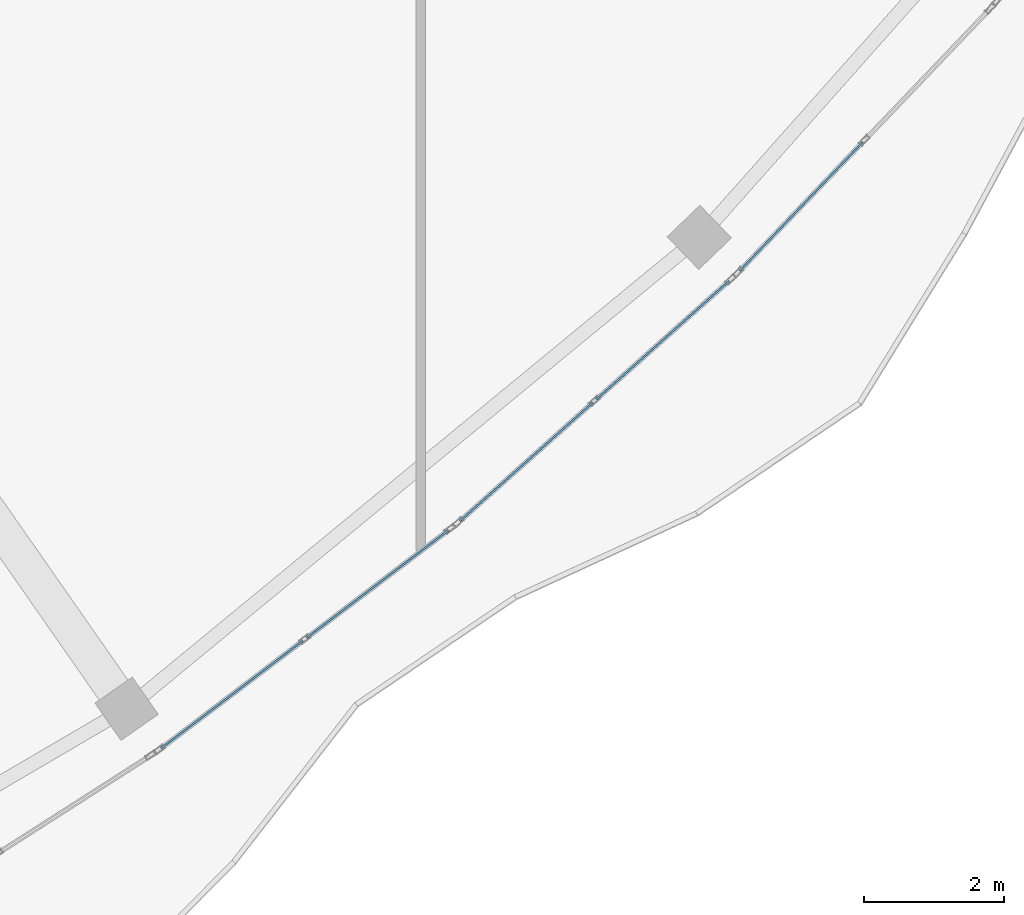
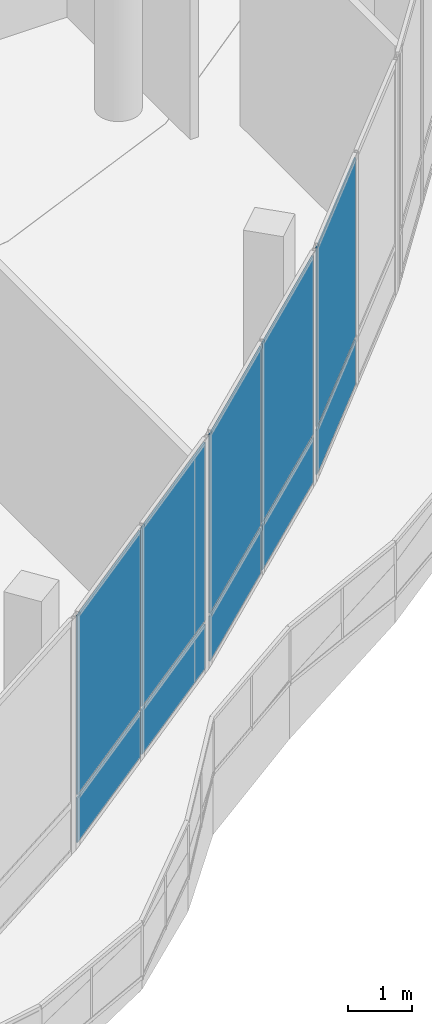
# One storey, part 117 of 155: 10 plates, 3 elements without a shape of their own.
"""IFC4 building model written with IfcOpenShell, lengths in metres."""

from ifc_helpers import new_model, si_unit, direction, frame, origin, origin_2d, place, context, subcontext, project, spatial, rectangle, extrude, material, layer, layer_set, type_object, element, aggregate, save


model = new_model("IFC4")

# Units and contexts
model_context = context("Model", 3, precision=1e-05, world=origin(), true_north=direction((0.0, 1.0)))
body_context = subcontext(model_context, "Body", "Model", "MODEL_VIEW")
ifc_project = project(units=[si_unit("LENGTHUNIT", "METRE"), si_unit("AREAUNIT", "SQUARE_METRE"), si_unit("VOLUMEUNIT", "CUBIC_METRE"), si_unit("PLANEANGLEUNIT", "RADIAN"), si_unit("MASSUNIT", "GRAM", prefix="KILO")], contexts=[model_context])

# Site, building, storey
site_placement = place(None, origin())
site = spatial("IfcSite", under=ifc_project, at=site_placement, CompositionType="ELEMENT")
building_placement = place(site_placement, origin())
building = spatial("IfcBuilding", under=site, at=building_placement, Name="Selatvlak General Hospital", CompositionType="ELEMENT")
storey_placement = place(building_placement, frame((0.0, 0.0, 10.199951171875)))
storey = spatial("IfcBuildingStorey", under=building, at=storey_placement, Name="L02", CompositionType="ELEMENT", Elevation=10.199951171875)

# Curtain wall, plates
ifc_material = material(Name="Solar-control Low-E double glazing", Category="glass")
curtain_wall_type_1 = type_object("IfcCurtainWallType", Name="CW-CW-02", PredefinedType="USERDEFINED", material=ifc_material)
curtain_wall_1_placement = place(storey_placement, origin())
curtain_wall_1 = element("IfcCurtainWall", 1, at=curtain_wall_1_placement, inside=storey, type_object=curtain_wall_type_1, Name="Glazed facade curtain wall CW-L02-0296", ObjectType="UNITISED CURTAIN WALL", PredefinedType="USERDEFINED")
ifc_layer = layer(ifc_material, 0.028076171875, Name="Solar-control Low-E double glazing", Category="glass")
ifc_layer_set = layer_set([ifc_layer], Name="Solar-control Low-E double glazing")
plate_type = type_object("IfcPlateType", Name="CWP-01", PredefinedType="CURTAIN_PANEL", material=ifc_layer_set)
plate_1_placement = place(storey_placement, frame((103.839599609375, 31.937255859375, 0.06494140625), z_axis=(0.0, 0.0, 1.0), x_axis=(-0.690943452785, -0.722908808256, 0.0)))
plate_1 = element("IfcPlate", 2, at=plate_1_placement, type_object=plate_type, Name="CW-02 panel 2.1", PredefinedType="CURTAIN_PANEL", context=body_context, shape_type="SweptSolid", body=[
    extrude(rectangle(XDim=2.5458984375, YDim=0.028076171875, at=origin_2d()), origin(), (0.0, 0.0, 1.0), 0.8525390625),
])
plate_2_placement = place(storey_placement, frame((103.839599609375, 31.937255859375, 0.982421875), z_axis=(0.0, 0.0, 1.0), x_axis=(-0.690943452785, -0.722908808256, 0.0)))
plate_2 = element("IfcPlate", 3, at=plate_2_placement, type_object=plate_type, Name="CW-02 panel 2.2", PredefinedType="CURTAIN_PANEL", context=body_context, shape_type="SweptSolid", body=[
    extrude(rectangle(XDim=2.5458984375, YDim=0.028076171875, at=origin_2d()), origin(), (0.0, 0.0, 1.0), 3.41259765625),
])
aggregate(curtain_wall_1, [plate_1, plate_2])

curtain_wall_type_2 = type_object("IfcCurtainWallType", Name="CW-CW-01", PredefinedType="USERDEFINED", material=ifc_material)
curtain_wall_2_placement = place(storey_placement, origin())
curtain_wall_2 = element("IfcCurtainWall", 4, at=curtain_wall_2_placement, inside=storey, type_object=curtain_wall_type_2, Name="Glazed facade curtain wall CW-L02-0297", ObjectType="UNITISED CURTAIN WALL", PredefinedType="USERDEFINED")
plate_3_placement = place(storey_placement, frame((101.858642578125, 30.025634765625, 0.06494140625), z_axis=(0.0, 0.0, 1.0), x_axis=(-0.746343691417, -0.665560736735, 0.0)))
plate_3 = element("IfcPlate", 5, at=plate_3_placement, type_object=plate_type, Name="CW-01 panel 1.1", PredefinedType="CURTAIN_PANEL", context=body_context, shape_type="SweptSolid", body=[
    extrude(rectangle(XDim=2.54541015625, YDim=0.028076171875, at=origin_2d()), origin(), (0.0, 0.0, 1.0), 0.8525390625),
])
plate_4_placement = place(storey_placement, frame((101.858642578125, 30.025634765625, 0.982421875), z_axis=(0.0, 0.0, 1.0), x_axis=(-0.746343691417, -0.665560736735, 0.0)))
plate_4 = element("IfcPlate", 6, at=plate_4_placement, type_object=plate_type, Name="CW-01 panel 1.2", PredefinedType="CURTAIN_PANEL", context=body_context, shape_type="SweptSolid", body=[
    extrude(rectangle(XDim=2.54541015625, YDim=0.028076171875, at=origin_2d()), origin(), (0.0, 0.0, 1.0), 3.41259765625),
])
plate_5_placement = place(storey_placement, frame((99.910400390625, 28.288330078125, 0.06494140625), z_axis=(0.0, 0.0, 1.0), x_axis=(-0.746343691417, -0.665560736735, 0.0)))
plate_5 = element("IfcPlate", 7, at=plate_5_placement, type_object=plate_type, Name="CW-01 panel 2.1", PredefinedType="CURTAIN_PANEL", context=body_context, shape_type="SweptSolid", body=[
    extrude(rectangle(XDim=2.54541015625, YDim=0.028076171875, at=origin_2d()), origin(), (0.0, 0.0, 1.0), 0.8525390625),
])
plate_6_placement = place(storey_placement, frame((99.910400390625, 28.288330078125, 0.982421875), z_axis=(0.0, 0.0, 1.0), x_axis=(-0.746343691417, -0.665560736735, 0.0)))
plate_6 = element("IfcPlate", 8, at=plate_6_placement, type_object=plate_type, Name="CW-01 panel 2.2", PredefinedType="CURTAIN_PANEL", context=body_context, shape_type="SweptSolid", body=[
    extrude(rectangle(XDim=2.54541015625, YDim=0.028076171875, at=origin_2d()), origin(), (0.0, 0.0, 1.0), 3.41259765625),
])
aggregate(curtain_wall_2, [plate_3, plate_4, plate_5, plate_6])

curtain_wall_3_placement = place(storey_placement, origin())
curtain_wall_3 = element("IfcCurtainWall", 9, at=curtain_wall_3_placement, inside=storey, type_object=curtain_wall_type_1, Name="Glazed facade curtain wall CW-L02-0298", ObjectType="UNITISED CURTAIN WALL", PredefinedType="USERDEFINED")
plate_7_placement = place(storey_placement, frame((97.782958984375, 26.5400390625, 0.06494140625), z_axis=(0.0, 0.0, 1.0), x_axis=(-0.796537386874, -0.60458927489, 0.0)))
plate_7 = element("IfcPlate", 10, at=plate_7_placement, type_object=plate_type, Name="CW-02 panel 1.1", PredefinedType="CURTAIN_PANEL", context=body_context, shape_type="SweptSolid", body=[
    extrude(rectangle(XDim=2.54638671875, YDim=0.028076171875, at=origin_2d()), origin(), (0.0, 0.0, 1.0), 0.8525390625),
])
plate_8_placement = place(storey_placement, frame((97.782958984375, 26.5400390625, 0.982421875), z_axis=(0.0, 0.0, 1.0), x_axis=(-0.796537386874, -0.60458927489, 0.0)))
plate_8 = element("IfcPlate", 11, at=plate_8_placement, type_object=plate_type, Name="CW-02 panel 1.2", PredefinedType="CURTAIN_PANEL", context=body_context, shape_type="SweptSolid", body=[
    extrude(rectangle(XDim=2.54638671875, YDim=0.028076171875, at=origin_2d()), origin(), (0.0, 0.0, 1.0), 3.41259765625),
])
plate_9_placement = place(storey_placement, frame((95.702880859375, 24.961181640625, 0.06494140625), z_axis=(0.0, 0.0, 1.0), x_axis=(-0.796537386874, -0.60458927489, 0.0)))
plate_9 = element("IfcPlate", 12, at=plate_9_placement, type_object=plate_type, Name="CW-02 panel 2.1", PredefinedType="CURTAIN_PANEL", context=body_context, shape_type="SweptSolid", body=[
    extrude(rectangle(XDim=2.54638671875, YDim=0.028076171875, at=origin_2d()), origin(), (0.0, 0.0, 1.0), 0.8525390625),
])
plate_10_placement = place(storey_placement, frame((95.702880859375, 24.961181640625, 0.982421875), z_axis=(0.0, 0.0, 1.0), x_axis=(-0.796537386874, -0.60458927489, 0.0)))
plate_10 = element("IfcPlate", 13, at=plate_10_placement, type_object=plate_type, Name="CW-02 panel 2.2", PredefinedType="CURTAIN_PANEL", context=body_context, shape_type="SweptSolid", body=[
    extrude(rectangle(XDim=2.54638671875, YDim=0.028076171875, at=origin_2d()), origin(), (0.0, 0.0, 1.0), 3.41259765625),
])
aggregate(curtain_wall_3, [plate_7, plate_8, plate_9, plate_10])

save(model, "model.ifc")
